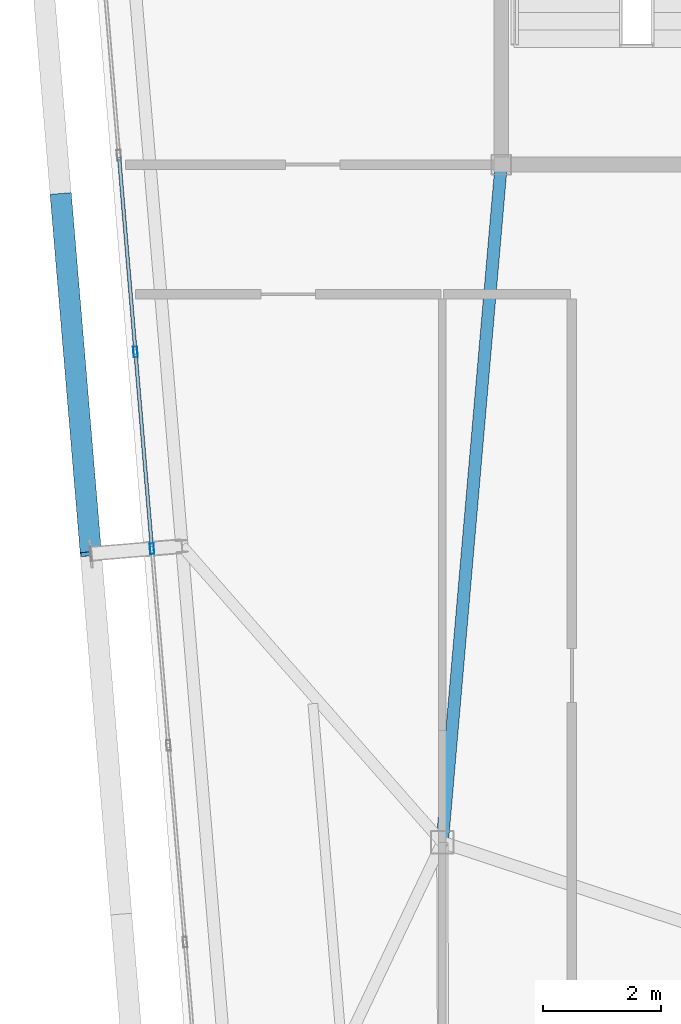
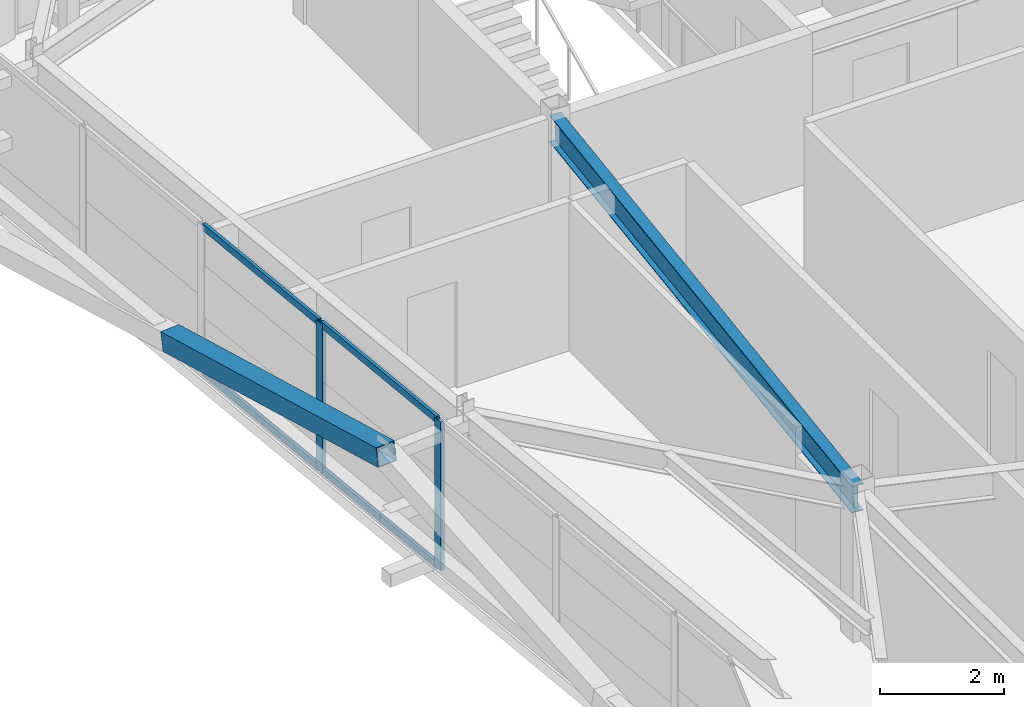
# One storey, part 14 of 44: 7 members, 1 beam, 1 element without a shape of its own.
"""IFC4 building model written with IfcOpenShell, lengths in metres."""

from ifc_helpers import new_model, si_unit, direction, frame, origin, origin_2d, place, context, subcontext, project, spatial, hollow_rectangle, i_section, extrude, source, transform, mapped, material, layer, layer_set, material_profile, profile_set, type_object, element, aggregate, save


model = new_model("IFC4")

# Units and contexts
model_context = context("Model", 3, precision=1e-05, world=origin(), true_north=direction((0.0, 1.0)))
body_context = subcontext(model_context, "Body", "Model", "MODEL_VIEW")
ifc_project = project(units=[si_unit("LENGTHUNIT", "METRE"), si_unit("AREAUNIT", "SQUARE_METRE"), si_unit("VOLUMEUNIT", "CUBIC_METRE"), si_unit("PLANEANGLEUNIT", "RADIAN"), si_unit("MASSUNIT", "GRAM", prefix="KILO")], contexts=[model_context])

# Site, building, storey
site_placement = place(None, origin())
site = spatial("IfcSite", under=ifc_project, at=site_placement, CompositionType="ELEMENT")
building_placement = place(site_placement, origin())
building = spatial("IfcBuilding", under=site, at=building_placement, Name="Taldren Reach Tower", CompositionType="ELEMENT")
storey_placement = place(building_placement, frame((0.0, 0.0, 191.449951171875)))
storey = spatial("IfcBuildingStorey", under=building, at=storey_placement, Name="L58", CompositionType="ELEMENT", Elevation=191.449951171875)

# Beam
ifc_material_1 = material(Name="Steel Gr 350 (350PLUS)", Category="steel")
ifc_material_profile_1 = material_profile(ifc_material_1, i_section(OverallWidth=0.208984375, OverallDepth=0.532958984375, WebThickness=0.01025390625, FlangeThickness=0.015625, at=origin_2d()), Name="530UB92.4")
ifc_profile_set_1 = profile_set([ifc_material_profile_1], Name="Steel Gr 350 (350PLUS)")
beam_type = type_object("IfcBeamType", Name="BM-UB530A", PredefinedType="BEAM", material=ifc_profile_set_1)
shared_shape_1 = source(origin(), body_context, "Body", "SweptSolid", [
    extrude(i_section(OverallWidth=0.208984375, OverallDepth=0.532958984375, WebThickness=0.01025390625, FlangeThickness=0.015625, at=origin_2d()), origin(), (0.0, 0.0, 1.0), 11.54345703125),
])
beam_placement = place(storey_placement, frame((19.0, 24.0, 2.66357421875), z_axis=(-0.086629616365, -0.996240588196, 0.0), x_axis=(0.996240588196, -0.086629616365, 0.0)))
element("IfcBeam", 1, at=beam_placement, inside=storey, type_object=beam_type, Name="Core-spine girder L58-SP09", PredefinedType="BEAM", context=body_context, shape_type="MappedRepresentation", body=[
    mapped(shared_shape_1, transform((0.0, 0.0, 0.0), scale=1.0)),
])

# Member
ifc_material_2 = material(Name="Steel Gr 450 (C450L0)", Category="steel")
ifc_material_profile_2 = material_profile(ifc_material_2, hollow_rectangle(XDim=0.360107421875, YDim=0.360107421875, WallThickness=0.0126953125, at=origin_2d()), Name="360x360x12.7SHS")
ifc_profile_set_2 = profile_set([ifc_material_profile_2], Name="Steel Gr 450 (C450L0)")
member_type_1 = type_object("IfcMemberType", Name="MB-EXO356", PredefinedType="BRACE", material=ifc_profile_set_2)
shared_shape_2 = source(origin(), body_context, "Body", "SweptSolid", [
    extrude(hollow_rectangle(XDim=0.360107421875, YDim=0.360107421875, WallThickness=0.0126953125, at=origin_2d()), origin(), (0.0, 0.0, 1.0), 6.2197265625),
])
member_1_placement = place(storey_placement, frame((11.52783203125, 23.47412109375, 1.43505859375), z_axis=(0.082036577282, -0.977295072332, 0.195356959394), x_axis=(0.996495340012, 0.08364829547, 0.0)))
element("IfcMember", 2, at=member_1_placement, inside=storey, type_object=member_type_1, Name="Exoskeleton Diagrid Brace B4-W2 L58", PredefinedType="BRACE", context=body_context, shape_type="MappedRepresentation", body=[
    mapped(shared_shape_2, transform((0.0, 0.0, 0.0), scale=1.0)),
])

# Curtain wall, members
ifc_material_3 = material(Name="Aluminium and Low-E Glass Unitised System", Category="aluminium")
ifc_layer = layer(ifc_material_3, 0.159912109375)
ifc_layer_set = layer_set([ifc_layer], Name="Aluminium and Low-E Glass Unitised System")
curtain_wall_type = type_object("IfcCurtainWallType", Name="CW-SYS-5", PredefinedType="NOTDEFINED", material=ifc_layer_set)
curtain_wall_placement = place(storey_placement, origin())
curtain_wall = element("IfcCurtainWall", 3, at=curtain_wall_placement, inside=storey, type_object=curtain_wall_type, Name="Unitised curtain wall CW-L58-W", PredefinedType="NOTDEFINED")
ifc_material_4 = material(Name="Anodised Aluminium 6063-T6", Category="aluminium")
ifc_material_profile_3 = material_profile(ifc_material_4, hollow_rectangle(XDim=0.070068359375, YDim=0.179931640625, WallThickness=0.00390625, at=origin_2d()), Name="ALU-180x70x4RHS")
ifc_profile_set_3 = profile_set([ifc_material_profile_3], Name="Anodised Aluminium 6063-T6")
member_type_2 = type_object("IfcMemberType", Name="CW-MUL-180", PredefinedType="MULLION", material=ifc_profile_set_3)
shared_shape_3 = source(origin(), body_context, "Body", "SweptSolid", [
    extrude(hollow_rectangle(XDim=0.070068359375, YDim=0.179931640625, WallThickness=0.00390625, at=origin_2d()), origin(), (0.0, 0.0, 1.0), 2.929931640625),
])
member_2_placement = place(storey_placement, frame((12.794189453125, 20.82080078125, 0.0), z_axis=(0.0, 0.0, 1.0), x_axis=(0.996492847789, 0.083677979808, 0.0)))
member_2 = element("IfcMember", 4, at=member_2_placement, type_object=member_type_2, Name="CW-5 mullion 4", PredefinedType="MULLION", context=body_context, shape_type="MappedRepresentation", body=[
    mapped(shared_shape_3, transform((0.0, 0.0, 0.0), scale=1.0)),
])
member_3_placement = place(storey_placement, frame((13.074462890625, 17.482421875, 0.0), z_axis=(0.0, 0.0, 1.0), x_axis=(0.996492847789, 0.083677979808, 0.0)))
member_3 = element("IfcMember", 5, at=member_3_placement, type_object=member_type_2, Name="CW-5 mullion 5", PredefinedType="MULLION", context=body_context, shape_type="MappedRepresentation", body=[
    mapped(shared_shape_3, transform((0.0, 0.0, 0.0), scale=1.0)),
])
ifc_material_profile_4 = material_profile(ifc_material_4, hollow_rectangle(XDim=0.06005859375, YDim=0.135009765625, WallThickness=0.00341796875, at=origin_2d()), Name="ALU-135x60x3.5RHS")
ifc_profile_set_4 = profile_set([ifc_material_profile_4], Name="Anodised Aluminium 6063-T6")
member_type_3 = type_object("IfcMemberType", Name="CW-TRN-150", PredefinedType="USERDEFINED", material=ifc_profile_set_4)
shared_shape_4 = source(origin(), body_context, "Body", "SweptSolid", [
    extrude(hollow_rectangle(XDim=0.06005859375, YDim=0.135009765625, WallThickness=0.00341796875, at=origin_2d()), origin(), (0.0, 0.0, 1.0), 3.280029296875),
])
member_4_placement = place(storey_placement, frame((12.516845703125, 24.124267578125, 0.030029296875), z_axis=(0.083661452101, -0.996494235524, 0.0), x_axis=(0.996494235524, 0.083661452101, 0.0)))
member_4 = element("IfcMember", 6, at=member_4_placement, type_object=member_type_3, Name="CW-5 transom 3.1", ObjectType="TRANSOM", PredefinedType="USERDEFINED", context=body_context, shape_type="MappedRepresentation", body=[
    mapped(shared_shape_4, transform((0.0, 0.0, 0.0), scale=1.0)),
])
member_5_placement = place(storey_placement, frame((12.516845703125, 24.124267578125, 2.900146484375), z_axis=(0.083661452101, -0.996494235524, 0.0), x_axis=(0.996494235524, 0.083661452101, 0.0)))
member_5 = element("IfcMember", 7, at=member_5_placement, type_object=member_type_3, Name="CW-5 transom 3.2", ObjectType="TRANSOM", PredefinedType="USERDEFINED", context=body_context, shape_type="MappedRepresentation", body=[
    mapped(shared_shape_4, transform((0.0, 0.0, 0.0), scale=1.0)),
])
member_6_placement = place(storey_placement, frame((12.797119140625, 20.785888671875, 0.030029296875), z_axis=(0.083661452101, -0.996494235524, 0.0), x_axis=(0.996494235524, 0.083661452101, 0.0)))
member_6 = element("IfcMember", 8, at=member_6_placement, type_object=member_type_3, Name="CW-5 transom 4.1", ObjectType="TRANSOM", PredefinedType="USERDEFINED", context=body_context, shape_type="MappedRepresentation", body=[
    mapped(shared_shape_4, transform((0.0, 0.0, 0.0), scale=1.0)),
])
member_7_placement = place(storey_placement, frame((12.797119140625, 20.785888671875, 2.900146484375), z_axis=(0.083661452101, -0.996494235524, 0.0), x_axis=(0.996494235524, 0.083661452101, 0.0)))
member_7 = element("IfcMember", 9, at=member_7_placement, type_object=member_type_3, Name="CW-5 transom 4.2", ObjectType="TRANSOM", PredefinedType="USERDEFINED", context=body_context, shape_type="MappedRepresentation", body=[
    mapped(shared_shape_4, transform((0.0, 0.0, 0.0), scale=1.0)),
])
aggregate(curtain_wall, [member_2, member_3, member_4, member_5, member_6, member_7])

save(model, "model.ifc")
